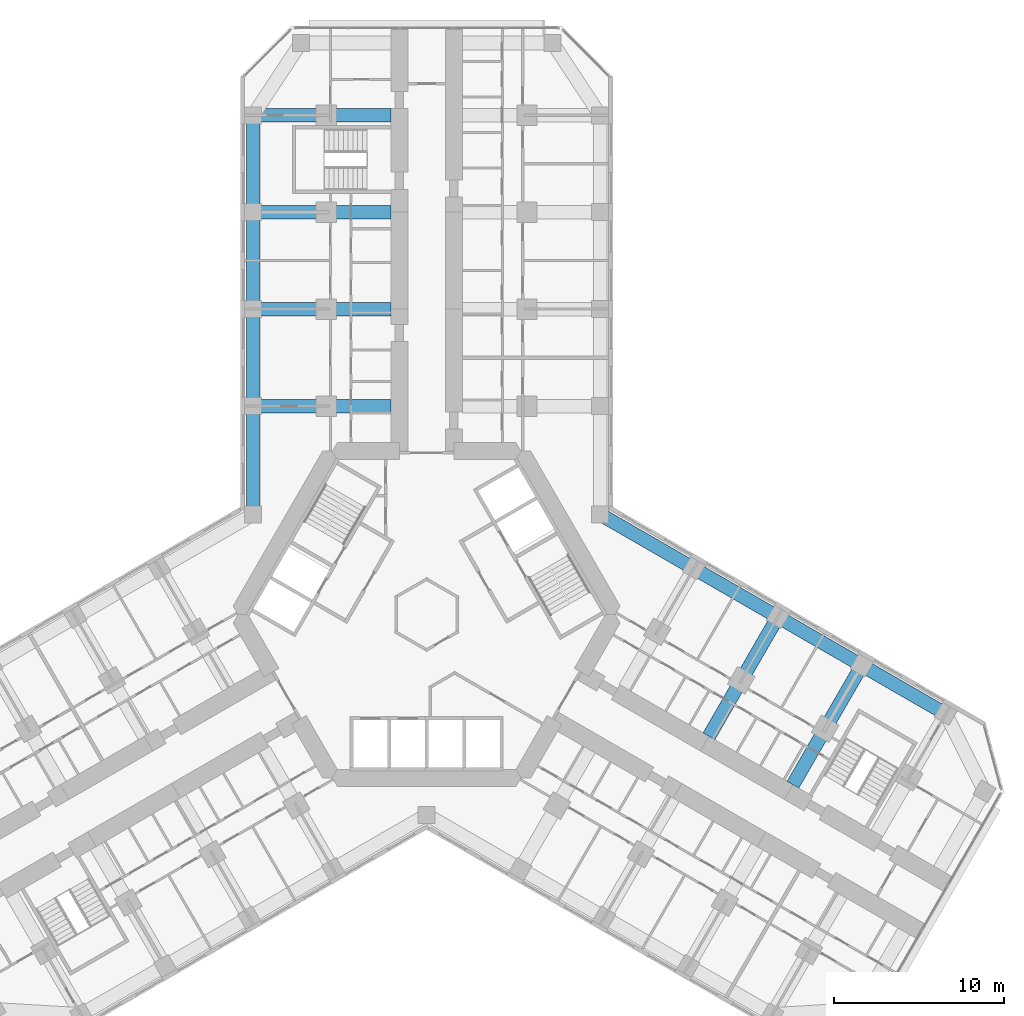
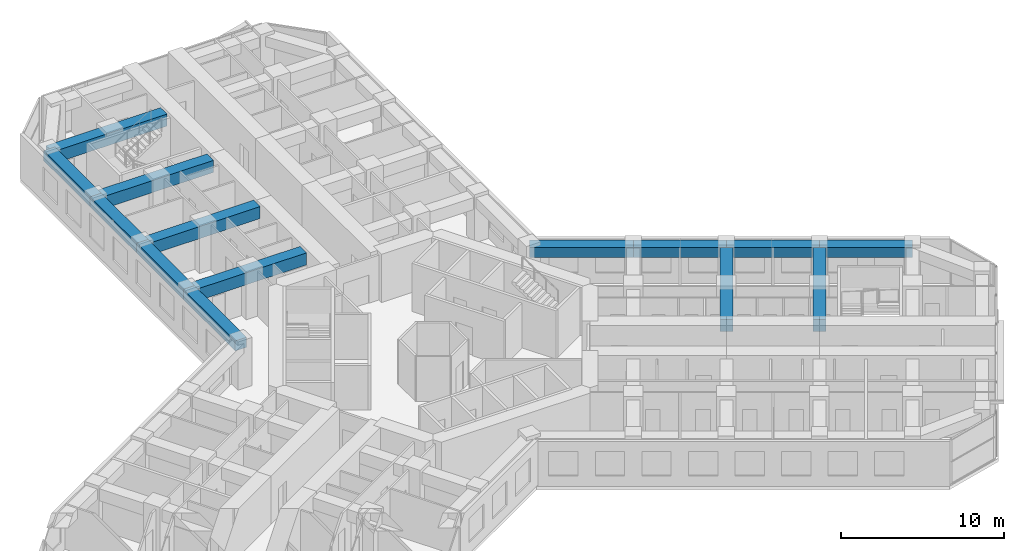
# One storey, part 6 of 21: 14 beams.
"""IFC4 building model written with IfcOpenShell, lengths in metres."""

from ifc_helpers import new_model, si_unit, direction, frame, origin, origin_2d, place, context, subcontext, project, spatial, rectangle, extrude, material, material_profile, profile_set, type_object, element, save


model = new_model("IFC4")

# Units and contexts
model_context = context("Model", 3, precision=1e-05, world=origin(), true_north=direction((0.0, 1.0)))
body_context = subcontext(model_context, "Body", "Model", "MODEL_VIEW")
ifc_project = project(units=[si_unit("LENGTHUNIT", "METRE"), si_unit("AREAUNIT", "SQUARE_METRE"), si_unit("VOLUMEUNIT", "CUBIC_METRE"), si_unit("PLANEANGLEUNIT", "RADIAN"), si_unit("MASSUNIT", "GRAM", prefix="KILO")], contexts=[model_context])

# Site, building, storey
site_placement = place(None, origin())
site = spatial("IfcSite", under=ifc_project, at=site_placement, CompositionType="ELEMENT")
building_placement = place(site_placement, origin())
building = spatial("IfcBuilding", under=site, at=building_placement, Name="Kosmar Iwan School Tower", CompositionType="ELEMENT")
storey_placement = place(building_placement, frame((0.0, 0.0, 64.60009765625)))
storey = spatial("IfcBuildingStorey", under=building, at=storey_placement, Name="L15", CompositionType="ELEMENT", Elevation=64.60009765625)

# Beams
ifc_material_1 = material(Name="Concrete C50/60", Category="concrete")
ifc_material_profile_1 = material_profile(ifc_material_1, rectangle(XDim=0.800048828125, YDim=0.75, at=origin_2d()), Name="RC 800x750")
ifc_profile_set_1 = profile_set([ifc_material_profile_1], Name="Concrete C50/60")
beam_type_1 = type_object("IfcBeamType", Name="RC edge beam 800x750", PredefinedType="BEAM", material=ifc_profile_set_1)
beam_1_placement = place(storey_placement, frame((-10.199951171875, 5.888916015625, 2.974853515625), z_axis=(0.0, 1.0, 0.0), x_axis=(-1.0, 0.0, 0.0)))
element("IfcBeam", 1, at=beam_1_placement, inside=storey, type_object=beam_type_1, Name="Edge beam AL1", PredefinedType="BEAM", context=body_context, shape_type="SweptSolid", body=[
    extrude(rectangle(XDim=0.800048828125, YDim=0.75, at=origin_2d()), origin(), (0.0, 0.0, 1.0), 6.361083984375),
])
for number, where, z_axis, x_axis, name in (
    (2, (-10.199951171875, 12.25, 2.974853515625), (0.0, 1.0, 0.0), (-1.0, 0.0, 0.0), "Edge beam AL2"),
    (3, (-10.199951171875, 17.949951171875, 2.974853515625), (0.0, 1.0, 0.0), (-1.0, 0.0, 0.0), "Edge beam AL3"),
):
    element("IfcBeam", number, at=place(storey_placement, frame(where, z_axis=z_axis, x_axis=x_axis)), inside=storey, type_object=beam_type_1, Name=name, PredefinedType="BEAM", context=body_context, shape_type="SweptSolid", body=[
        extrude(rectangle(XDim=0.800048828125, YDim=0.75, at=origin_2d()), origin(), (0.0, 0.0, 1.0), 5.699951171875),
    ])
beam_2_placement = place(storey_placement, frame((-10.199951171875, 23.64990234375, 2.974853515625), z_axis=(0.0, 1.0, 0.0), x_axis=(-1.0, 0.0, 0.0)))
element("IfcBeam", 4, at=beam_2_placement, inside=storey, type_object=beam_type_1, Name="Edge beam AL4", PredefinedType="BEAM", context=body_context, shape_type="SweptSolid", body=[
    extrude(rectangle(XDim=0.800048828125, YDim=0.75, at=origin_2d()), origin(), (0.0, 0.0, 1.0), 5.7001953125),
])
beam_3_placement = place(storey_placement, frame((10.199951171875, 5.888916015625, 2.974853515625), z_axis=(0.866030912664, -0.49999045822, 0.0), x_axis=(0.49999045822, 0.866030912664, 0.0)))
element("IfcBeam", 5, at=beam_3_placement, inside=storey, type_object=beam_type_1, Name="Edge beam CL1", PredefinedType="BEAM", context=body_context, shape_type="SweptSolid", body=[
    extrude(rectangle(XDim=0.800048828125, YDim=0.75, at=origin_2d()), origin(), (0.0, 0.0, 1.0), 6.36083984375),
])
beam_4_placement = place(storey_placement, frame((15.708740234375, 2.70849609375, 2.974853515625), z_axis=(0.866025820012, -0.499999279071, 0.0), x_axis=(0.499999279071, 0.866025820012, 0.0)))
element("IfcBeam", 6, at=beam_4_placement, inside=storey, type_object=beam_type_1, Name="Edge beam CL2", PredefinedType="BEAM", context=body_context, shape_type="SweptSolid", body=[
    extrude(rectangle(XDim=0.800048828125, YDim=0.75, at=origin_2d()), origin(), (0.0, 0.0, 1.0), 5.7001953125),
])
for number, where, z_axis, x_axis, name in (
    (7, (20.645263671875, -0.1416015625, 2.974853515625), (0.866033658841, -0.49998570155, 0.0), (0.49998570155, 0.866033658841, 0.0), "Edge beam CL3"),
    (8, (25.58154296875, -2.991455078125, 2.974853515625), (0.866015111908, -0.50001782563, 0.0), (0.50001782563, 0.866015111908, 0.0), "Edge beam CL4"),
):
    element("IfcBeam", number, at=place(storey_placement, frame(where, z_axis=z_axis, x_axis=x_axis)), inside=storey, type_object=beam_type_1, Name=name, PredefinedType="BEAM", context=body_context, shape_type="SweptSolid", body=[
        extrude(rectangle(XDim=0.800048828125, YDim=0.75, at=origin_2d()), origin(), (0.0, 0.0, 1.0), 5.699951171875),
    ])
ifc_material_2 = material(Name="Concrete C50/60", Category="concrete")
ifc_material_profile_2 = material_profile(ifc_material_2, rectangle(XDim=0.800048828125, YDim=0.89990234375, at=origin_2d()), Name="RC 800x900")
ifc_profile_set_2 = profile_set([ifc_material_profile_2], Name="Concrete C50/60")
beam_type_2 = type_object("IfcBeamType", Name="RC transverse beam 800x900", PredefinedType="BEAM", material=ifc_profile_set_2)
for number, where, z_axis, x_axis, name in (
    (9, (-10.199951171875, 12.25, 2.89990234375), (1.0, 0.0, 0.0), (0.0, 1.0, 0.0), "Transverse beam AL1"),
    (10, (-10.199951171875, 17.949951171875, 2.89990234375), (1.0, 0.0, 0.0), (0.0, 1.0, 0.0), "Transverse beam AL2"),
    (11, (-10.199951171875, 23.64990234375, 2.89990234375), (1.0, 0.0, 0.0), (0.0, 1.0, 0.0), "Transverse beam AL3"),
    (12, (-10.199951171875, 29.35009765625, 2.89990234375), (1.0, 0.0, 0.0), (0.0, 1.0, 0.0), "Transverse beam AL4"),
    (13, (20.645263671875, -0.1416015625, 2.89990234375), (-0.500012932018, -0.866017937352, 0.0), (0.866017937352, -0.500012932018, 0.0), "Transverse beam CL2"),
):
    element("IfcBeam", number, at=place(storey_placement, frame(where, z_axis=z_axis, x_axis=x_axis)), inside=storey, type_object=beam_type_2, Name=name, PredefinedType="BEAM", context=body_context, shape_type="SweptSolid", body=[
        extrude(rectangle(XDim=0.800048828125, YDim=0.89990234375, at=origin_2d()), origin(), (0.0, 0.0, 1.0), 8.099853515625),
    ])
beam_5_placement = place(storey_placement, frame((25.58154296875, -2.991455078125, 2.89990234375), z_axis=(-0.499999880539, -0.866025472755, 0.0), x_axis=(0.866025472755, -0.499999880539, 0.0)))
element("IfcBeam", 14, at=beam_5_placement, inside=storey, type_object=beam_type_2, Name="Transverse beam CL3", PredefinedType="BEAM", context=body_context, shape_type="SweptSolid", body=[
    extrude(rectangle(XDim=0.800048828125, YDim=0.89990234375, at=origin_2d()), origin(), (0.0, 0.0, 1.0), 8.10009765625),
])

save(model, "model.ifc")
